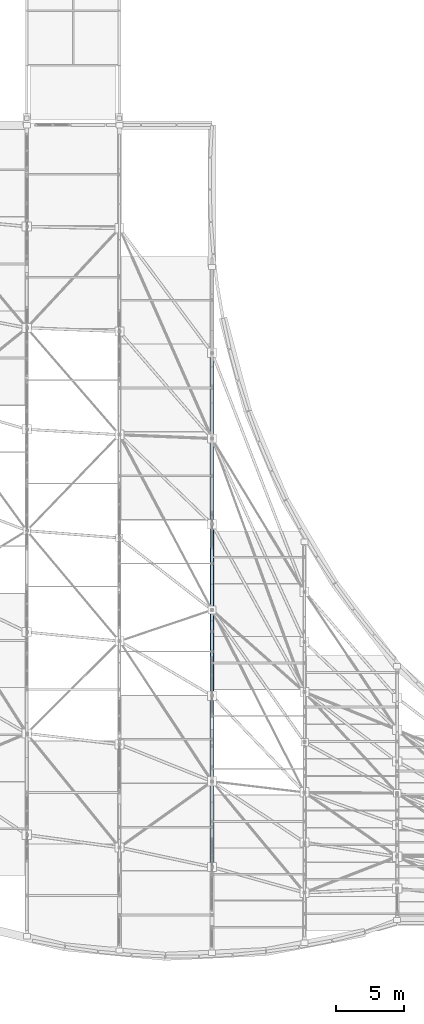
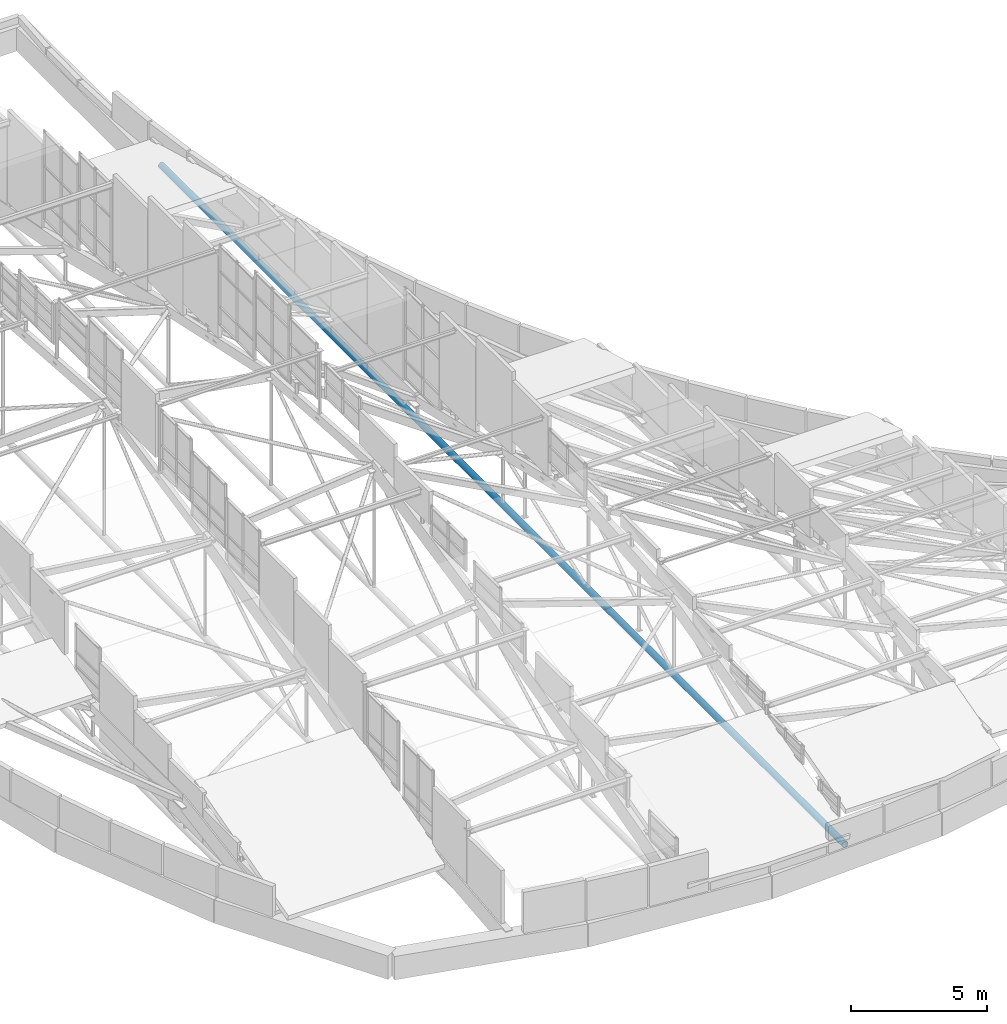
# One storey, part 26 of 188: 1 member.
"""IFC4 building model written with IfcOpenShell, lengths in metres."""

from ifc_helpers import new_model, si_unit, direction, frame, origin, origin_2d, place, context, subcontext, project, spatial, hollow_circle, extrude, material, material_profile, profile_set, type_object, element, save


model = new_model("IFC4")

# Units and contexts
model_context = context("Model", 3, precision=1e-05, world=origin(), true_north=direction((0.0, 1.0)))
body_context = subcontext(model_context, "Body", "Model", "MODEL_VIEW")
ifc_project = project(units=[si_unit("LENGTHUNIT", "METRE"), si_unit("AREAUNIT", "SQUARE_METRE"), si_unit("VOLUMEUNIT", "CUBIC_METRE"), si_unit("PLANEANGLEUNIT", "RADIAN"), si_unit("MASSUNIT", "GRAM", prefix="KILO")], contexts=[model_context])

# Site, building, storey
site_placement = place(None, origin())
site = spatial("IfcSite", under=ifc_project, at=site_placement, CompositionType="ELEMENT")
building_placement = place(site_placement, origin())
building = spatial("IfcBuilding", under=site, at=building_placement, Name="Kisaragi Civic Commons", CompositionType="ELEMENT")
storey_placement = place(building_placement, frame((0.0, 0.0, 9.60009765625)))
storey = spatial("IfcBuildingStorey", under=building, at=storey_placement, Name="L02", CompositionType="ELEMENT", Elevation=9.60009765625)

# Member
ifc_material = material(Name="Steel SN490 (SN490B)", Category="steel")
ifc_material_profile = material_profile(ifc_material, hollow_circle(Radius=0.1337890625, WallThickness=0.009033203125, at=origin_2d()), Name="CHS-267.4x9.0", Category="steel")
ifc_profile_set = profile_set([ifc_material_profile], Name="Steel SN490 (SN490B)")
member_type = type_object("IfcMemberType", Name="ST-T1", PredefinedType="STRUT", material=ifc_profile_set)
member_placement = place(storey_placement, frame((27.199951171875, 1.622314453125, -0.458984375), z_axis=(0.0, 1.0, 0.0), x_axis=(-1.0, 0.0, 0.0)))
element("IfcMember", 1, at=member_placement, inside=storey, type_object=member_type, Name="V1 arch tension tie ST-T1 55", PredefinedType="STRUT", context=body_context, shape_type="SweptSolid", body=[
    extrude(hollow_circle(Radius=0.1337890625, WallThickness=0.009033203125, at=origin_2d()), origin(), (0.0, 0.0, 1.0), 50.356689453125),
])

save(model, "model.ifc")
